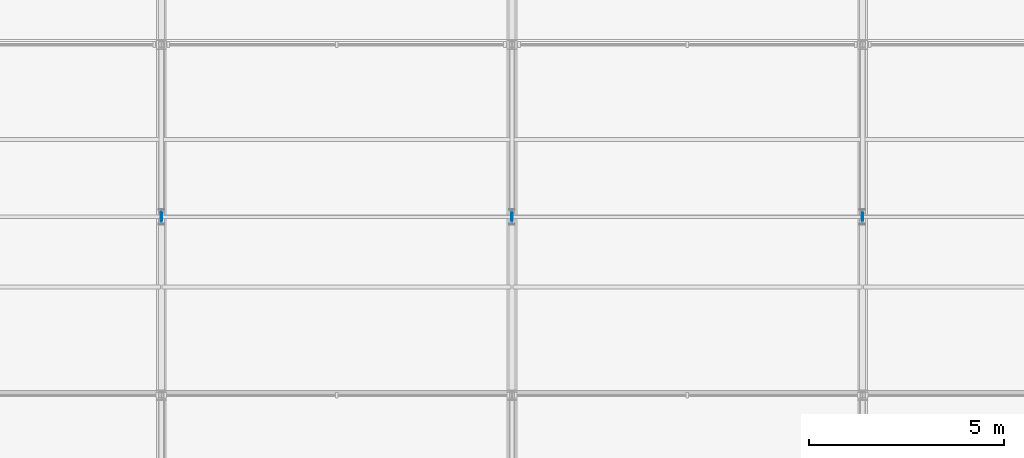
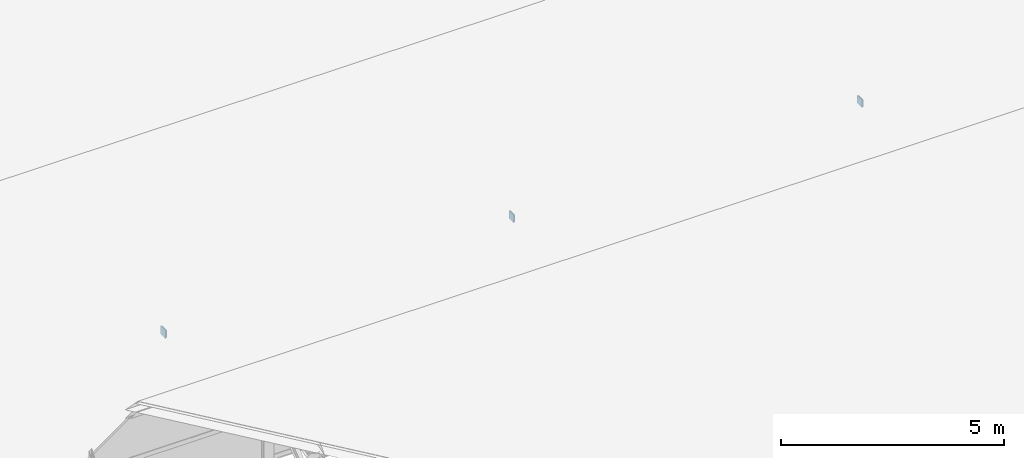
# One storey, part 128 of 163: 6 plates.
"""IFC4 building model written with IfcOpenShell, lengths in metres."""

from ifc_helpers import new_model, si_unit, direction, frame, origin, origin_2d, place, context, subcontext, project, spatial, rectangle, extrude, material, layer, layer_set, type_object, element, save


model = new_model("IFC4")

# Units and contexts
model_context = context("Model", 3, precision=1e-05, world=origin(), true_north=direction((0.0, 1.0)))
body_context = subcontext(model_context, "Body", "Model", "MODEL_VIEW")
ifc_project = project(units=[si_unit("LENGTHUNIT", "METRE"), si_unit("AREAUNIT", "SQUARE_METRE"), si_unit("VOLUMEUNIT", "CUBIC_METRE"), si_unit("PLANEANGLEUNIT", "RADIAN"), si_unit("MASSUNIT", "GRAM", prefix="KILO")], contexts=[model_context])

# Site, building, storey
site_placement = place(None, origin())
site = spatial("IfcSite", under=ifc_project, at=site_placement, CompositionType="ELEMENT")
building_placement = place(site_placement, origin())
building = spatial("IfcBuilding", under=site, at=building_placement, Name="Tharagai Park Tramway Depot", CompositionType="ELEMENT")
storey_placement = place(building_placement, frame((0.0, 0.0, 8.39990234375)))
storey = spatial("IfcBuildingStorey", under=building, at=storey_placement, Name="L02", CompositionType="ELEMENT", Elevation=8.39990234375)

# Plates
ifc_material = material(Name="Steel E350", Category="steel")
ifc_layer = layer(ifc_material, 0.011962890625)
ifc_layer_set = layer_set([ifc_layer], Name="Steel E350")
plate_type = type_object("IfcPlateType", Name="GP-04", PredefinedType="SHEET", material=ifc_layer_set)
plate_placement = place(storey_placement, frame((35.986083984375, 103.5, 1.83154296875), z_axis=(0.0, 0.0, 1.0), x_axis=(1.0, 0.0, 0.0)))
element("IfcPlate", 1, at=plate_placement, inside=storey, type_object=plate_type, Name="Tube End Cap Plate GP-04", PredefinedType="SHEET", context=body_context, shape_type="SweptSolid", body=[
    extrude(rectangle(XDim=0.011962890625, YDim=0.22998046875, at=origin_2d()), origin(), (0.0, 0.0, 1.0), 0.22998046875),
])
for number, where, z_axis, x_axis, name in (
    (2, (36.013916015625, 103.5, 1.841552734375), (0.0, 0.0, 1.0), (1.0, 0.0, 0.0), "Tube End Cap Plate GP-04"),
    (3, (44.986083984375, 103.5, 1.841552734375), (0.0, 0.0, 1.0), (1.0, 0.0, 0.0), "Tube End Cap Plate GP-04"),
    (4, (45.013916015625, 103.5, 1.841552734375), (0.0, 0.0, 1.0), (1.0, 0.0, 0.0), "Tube End Cap Plate GP-04"),
    (5, (53.986083984375, 103.5, 1.841552734375), (0.0, 0.0, 1.0), (1.0, 0.0, 0.0), "Tube End Cap Plate GP-04"),
    (6, (54.013916015625, 103.5, 1.841552734375), (0.0, 0.0, 1.0), (1.0, 0.0, 0.0), "Tube End Cap Plate GP-04"),
):
    element("IfcPlate", number, at=place(storey_placement, frame(where, z_axis=z_axis, x_axis=x_axis)), inside=storey, type_object=plate_type, Name=name, PredefinedType="SHEET", context=body_context, shape_type="SweptSolid", body=[
        extrude(rectangle(XDim=0.011962890625, YDim=0.2099609375, at=origin_2d()), origin(), (0.0, 0.0, 1.0), 0.2099609375),
    ])

save(model, "model.ifc")
